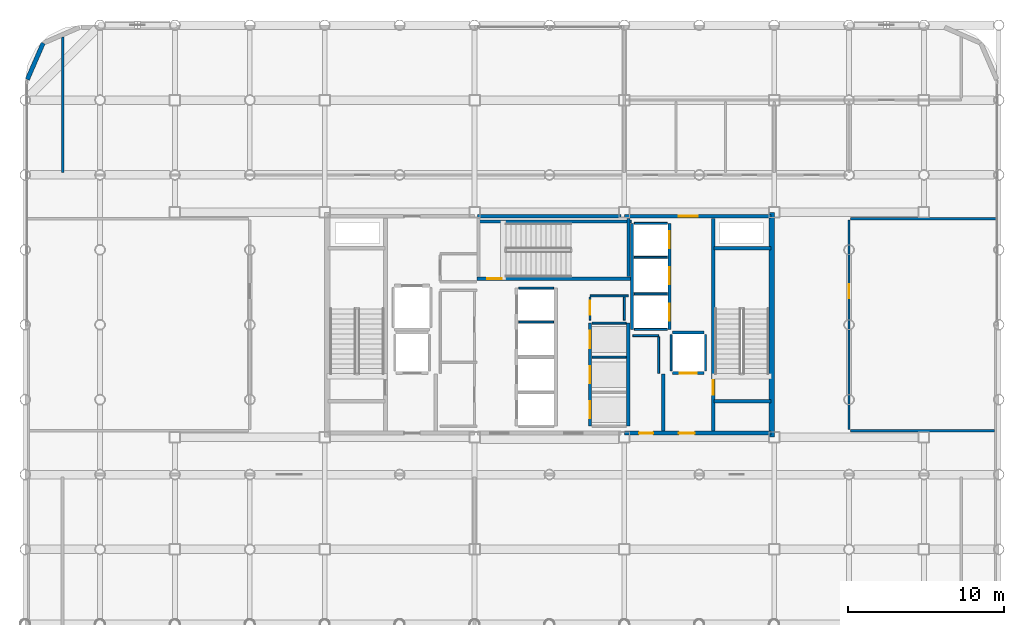
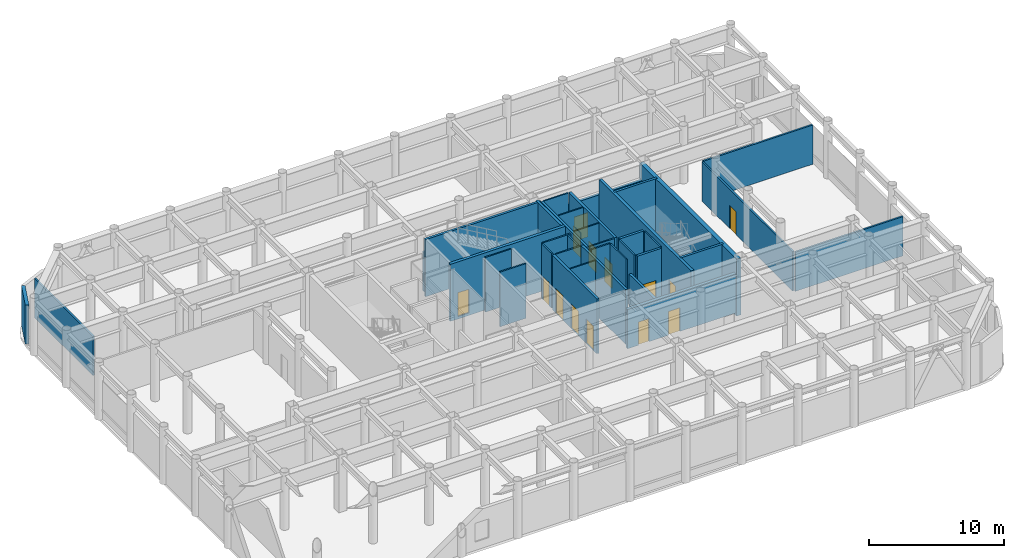
# One storey, part 17 of 20: 37 walls, 14 doors, 14 openings.
"""IFC4 building model written with IfcOpenShell, lengths in metres."""

from ifc_helpers import new_model, si_unit, direction, frame, frame_2d, origin, place, context, subcontext, project, spatial, rectangle, extrude, material, layer, layer_set, type_object, element, fill, save


model = new_model("IFC4")

# Units and contexts
model_context = context("Model", 3, precision=1e-05, world=origin(), true_north=direction((0.0, 1.0)))
body_context = subcontext(model_context, "Body", "Model", "MODEL_VIEW")
ifc_project = project(units=[si_unit("LENGTHUNIT", "METRE"), si_unit("AREAUNIT", "SQUARE_METRE"), si_unit("VOLUMEUNIT", "CUBIC_METRE"), si_unit("PLANEANGLEUNIT", "RADIAN"), si_unit("MASSUNIT", "GRAM", prefix="KILO")], contexts=[model_context])

# Site, building, storey
site_placement = place(None, origin())
site = spatial("IfcSite", under=ifc_project, at=site_placement, CompositionType="ELEMENT")
building_placement = place(site_placement, origin())
building = spatial("IfcBuilding", under=site, at=building_placement, Name="Kallvorn Hotel Tower", CompositionType="ELEMENT")
storey_placement = place(building_placement, frame((0.0, 0.0, 180.300048828125)))
storey = spatial("IfcBuildingStorey", under=building, at=storey_placement, Name="L45", CompositionType="ELEMENT", Elevation=180.300048828125)

# Walls
ifc_material_1 = material(Name="Concrete C50/60", Category="concrete")
ifc_layer_1 = layer(ifc_material_1, 0.35009765625)
ifc_layer_set_1 = layer_set([ifc_layer_1], Name="WL_CORE_350")
wall_type_1 = type_object("IfcWallType", Name="WL_CORE_350", PredefinedType="SHEAR", material=ifc_layer_set_1)
wall_1_placement = place(storey_placement, frame((14.239990234375, -7.199951171875, -0.219970703125), z_axis=(0.0, 0.0, 1.0), x_axis=(0.0, 1.0, 0.0)))
element("IfcWall", 1, at=wall_1_placement, inside=storey, type_object=wall_type_1, Name="L45 Core East Shear Wall", PredefinedType="SHEAR", context=body_context, shape_type="SweptSolid", body=[
    extrude(rectangle(XDim=14.39990234375, YDim=0.35009765625, at=frame_2d((7.199951171875, 0.0))), origin(), (0.0, 0.0, 1.0), 5.169921875),
])
ifc_material_2 = material(Name="Precast basalt-clad insulated concrete wall C40/50", Category="masonry")
ifc_layer_2 = layer(ifc_material_2, 0.280029296875)
ifc_layer_set_2 = layer_set([ifc_layer_2], Name="WL_EXT_LOGGIA_280")
wall_type_2 = type_object("IfcWallType", Name="WL_EXT_LOGGIA_280", PredefinedType="SOLIDWALL", material=ifc_layer_set_2)
wall_2_placement = place(storey_placement, frame((-32.446533203125, 18.046630859375, 0.0), z_axis=(0.0, 0.0, 1.0), x_axis=(-0.398792985289, -0.917040977756, 0.0)))
element("IfcWall", 2, at=wall_2_placement, inside=storey, type_object=wall_type_2, Name="L45 Rounded Corner Exterior Wall NW2", PredefinedType="SOLIDWALL", context=body_context, shape_type="SweptSolid", body=[
    extrude(rectangle(XDim=2.536376953125, YDim=0.280029296875, at=frame_2d((1.26806640625, 0.0))), origin(), (0.0, 0.0, 1.0), 3.550048828125),
])
ifc_material_3 = material(Name="Concrete C40/50", Category="concrete")
ifc_layer_3 = layer(ifc_material_3, 0.219970703125)
ifc_layer_set_3 = layer_set([ifc_layer_3], Name="WL_FFL_220")
wall_type_3 = type_object("IfcWallType", Name="WL_FFL_220", PredefinedType="SOLIDWALL", material=ifc_layer_set_3)
wall_3_placement = place(storey_placement, frame((7.300048828125, -6.820068359375, 0.0), z_axis=(0.0, 0.0, 1.0), x_axis=(0.0, 1.0, 0.0)))
element("IfcWall", 3, at=wall_3_placement, inside=storey, type_object=wall_type_3, Name="L45 Firefighting Lobby East Divider Wall", PredefinedType="SOLIDWALL", context=body_context, shape_type="SweptSolid", body=[
    extrude(rectangle(XDim=3.670166015625, YDim=0.219970703125, at=frame_2d((1.8349609375, 0.0))), origin(), (0.0, 0.0, 1.0), 3.550048828125),
])
ifc_material_4 = material(Name="Concrete C40/50", Category="concrete")
ifc_layer_4 = layer(ifc_material_4, 0.199951171875)
ifc_layer_set_4 = layer_set([ifc_layer_4], Name="WL_HOIST_200")
wall_type_4 = type_object("IfcWallType", Name="WL_HOIST_200", PredefinedType="SOLIDWALL", material=ifc_layer_set_4)
for number, where, z_axis, x_axis, name in (
    (4, (10.550048828125, -4.89990234375, -0.219970703125), (0.0, 0.0, 1.0), (1.0, 0.0, 0.0), "L45 Stair ST2 South Wall"),
    (5, (10.550048828125, 4.89990234375, -0.219970703125), (0.0, 0.0, 1.0), (1.0, 0.0, 0.0), "L45 Stair ST2 North Wall"),
):
    element("IfcWall", number, at=place(storey_placement, frame(where, z_axis=z_axis, x_axis=x_axis)), inside=storey, type_object=wall_type_4, Name=name, PredefinedType="SOLIDWALL", context=body_context, shape_type="SweptSolid", body=[
        extrude(rectangle(XDim=3.64990234375, YDim=0.199951171875, at=frame_2d((1.824951171875, 0.0))), origin(), (0.0, 0.0, 1.0), 5.169921875),
    ])
wall_4_placement = place(storey_placement, frame((-4.64990234375, 6.610107421875, -0.219970703125), z_axis=(0.0, 0.0, 1.0), x_axis=(1.0, 0.0, 0.0)))
element("IfcWall", 6, at=wall_4_placement, inside=storey, type_object=wall_type_4, Name="L45 Stair ST3 Shaft North Wall", PredefinedType="SOLIDWALL", context=body_context, shape_type="SweptSolid", body=[
    extrude(rectangle(XDim=9.89990234375, YDim=0.199951171875, at=frame_2d((4.949951171875, 0.0))), origin(), (0.0, 0.0, 1.0), 5.169921875),
])
wall_5_placement = place(storey_placement, frame((5.06005859375, 3.080078125, -0.219970703125), z_axis=(0.0, 0.0, 1.0), x_axis=(0.0, 1.0, 0.0)))
element("IfcWall", 7, at=wall_5_placement, inside=storey, type_object=wall_type_4, Name="L45 Stair ST3 East Wall", PredefinedType="SOLIDWALL", context=body_context, shape_type="SweptSolid", body=[
    extrude(rectangle(XDim=3.739990234375, YDim=0.199951171875, at=frame_2d((1.8701171875, 0.0))), origin(), (0.0, 0.0, 1.0), 5.169921875),
])

# Wall, openings, doors
wall_6_placement = place(storey_placement, frame((2.60009765625, -6.5, 0.0), z_axis=(0.0, 0.0, 1.0), x_axis=(0.0, 1.0, 0.0)))
wall_6 = element("IfcWall", 8, at=wall_6_placement, inside=storey, type_object=wall_type_4, Name="L45 Lift Bank B3A Landing Wall", PredefinedType="SOLIDWALL", context=body_context, shape_type="SweptSolid", body=[
    extrude(rectangle(XDim=6.60009765625, YDim=0.199951171875, at=frame_2d((3.300048828125, 0.0))), origin(), (0.0, 0.0, 1.0), 4.949951171875),
])
opening_1_placement = place(wall_6_placement, frame((0.5, 0.0, 0.0)))
opening_1 = element("IfcOpeningElement", 9, at=opening_1_placement, cuts=wall_6, Name="Opening LD-PL-09", PredefinedType="OPENING", context=body_context, shape_type="SweptSolid", body=[
    extrude(rectangle(XDim=1.10009765625, YDim=2.199951171875, at=frame_2d((0.550048828125, 1.10009765625))), frame((0.0, 0.114990234375, 0.0), z_axis=(0.0, -1.0, 0.0), x_axis=(1.0, 0.0, 0.0)), (0.0, 0.0, 1.0), 0.22998046875),
])
opening_2_placement = place(wall_6_placement, frame((2.75, 0.0, 0.0)))
opening_2 = element("IfcOpeningElement", 10, at=opening_2_placement, cuts=wall_6, Name="Opening LD-PL-10", PredefinedType="OPENING", context=body_context, shape_type="SweptSolid", body=[
    extrude(rectangle(XDim=1.10009765625, YDim=2.199951171875, at=frame_2d((0.550048828125, 1.10009765625))), frame((0.0, 0.114990234375, 0.0), z_axis=(0.0, -1.0, 0.0), x_axis=(1.0, 0.0, 0.0)), (0.0, 0.0, 1.0), 0.22998046875),
])
opening_3_placement = place(wall_6_placement, frame((5.0, 0.0, 0.0)))
opening_3 = element("IfcOpeningElement", 11, at=opening_3_placement, cuts=wall_6, Name="Opening LD-PL-11", PredefinedType="OPENING", context=body_context, shape_type="SweptSolid", body=[
    extrude(rectangle(XDim=1.10009765625, YDim=2.199951171875, at=frame_2d((0.550048828125, 1.10009765625))), frame((0.0, 0.114990234375, 0.0), z_axis=(0.0, -1.0, 0.0), x_axis=(1.0, 0.0, 0.0)), (0.0, 0.0, 1.0), 0.22998046875),
])
ifc_material_5 = material(Name="Brushed stainless-steel automatic sliding lift landing door", Category="steel")
door_type_1 = type_object("IfcDoorType", Name="LD_PASS_1100x2200", OperationType="SLIDING_TO_LEFT", PredefinedType="DOOR", material=ifc_material_5)
door_1_placement = place(opening_1_placement, origin())
door_1 = element("IfcDoor", 12, at=door_1_placement, inside=storey, type_object=door_type_1, Name="L45 Lift Landing Sliding Door LD-PL-09", OperationType="SLIDING_TO_LEFT", OverallHeight=2.199951171875, OverallWidth=1.10009765625, PredefinedType="DOOR", context=body_context, shape_type="SweptSolid", body=[
    extrude(rectangle(XDim=1.10009765625, YDim=2.199951171875, at=frame_2d((0.550048828125, 1.10009765625))), frame((0.0, 0.02490234375, 0.0), z_axis=(0.0, -1.0, 0.0), x_axis=(1.0, 0.0, 0.0)), (0.0, 0.0, 1.0), 0.050048828125),
])
fill(opening_1, door_1)
door_2_placement = place(opening_2_placement, origin())
door_2 = element("IfcDoor", 13, at=door_2_placement, inside=storey, type_object=door_type_1, Name="L45 Lift Landing Sliding Door LD-PL-10", OperationType="SLIDING_TO_LEFT", OverallHeight=2.199951171875, OverallWidth=1.10009765625, PredefinedType="DOOR", context=body_context, shape_type="SweptSolid", body=[
    extrude(rectangle(XDim=1.10009765625, YDim=2.199951171875, at=frame_2d((0.550048828125, 1.10009765625))), frame((0.0, 0.02490234375, 0.0), z_axis=(0.0, -1.0, 0.0), x_axis=(1.0, 0.0, 0.0)), (0.0, 0.0, 1.0), 0.050048828125),
])
fill(opening_2, door_2)
door_3_placement = place(opening_3_placement, origin())
door_3 = element("IfcDoor", 14, at=door_3_placement, inside=storey, type_object=door_type_1, Name="L45 Lift Landing Sliding Door LD-PL-11", OperationType="SLIDING_TO_LEFT", OverallHeight=2.199951171875, OverallWidth=1.10009765625, PredefinedType="DOOR", context=body_context, shape_type="SweptSolid", body=[
    extrude(rectangle(XDim=1.10009765625, YDim=2.199951171875, at=frame_2d((0.550048828125, 1.10009765625))), frame((0.0, 0.02490234375, 0.0), z_axis=(0.0, -1.0, 0.0), x_axis=(1.0, 0.0, 0.0)), (0.0, 0.0, 1.0), 0.050048828125),
])
fill(opening_3, door_3)

# Wall
wall_7_placement = place(storey_placement, frame((5.050048828125, -6.5, 0.0), z_axis=(0.0, 0.0, 1.0), x_axis=(0.0, 1.0, 0.0)))
element("IfcWall", 15, at=wall_7_placement, inside=storey, type_object=wall_type_4, Name="L45 Lift Bank B3A Rear Shaft Wall", PredefinedType="SOLIDWALL", context=body_context, shape_type="SweptSolid", body=[
    extrude(rectangle(XDim=6.60009765625, YDim=0.199951171875, at=frame_2d((3.300048828125, 0.0))), origin(), (0.0, 0.0, 1.0), 4.949951171875),
])

# Wall, openings, doors
wall_8_placement = place(storey_placement, frame((7.699951171875, -0.300048828125, 0.0), z_axis=(0.0, 0.0, 1.0), x_axis=(0.0, 1.0, 0.0)))
wall_8 = element("IfcWall", 16, at=wall_8_placement, inside=storey, type_object=wall_type_4, Name="L45 Lift Bank OBS Landing Wall", PredefinedType="SOLIDWALL", context=body_context, shape_type="SweptSolid", body=[
    extrude(rectangle(XDim=6.800048828125, YDim=0.199951171875, at=frame_2d((3.39990234375, 0.0))), origin(), (0.0, 0.0, 1.0), 4.949951171875),
])
opening_4_placement = place(wall_8_placement, frame((0.550048828125, 0.0, 0.0)))
opening_4 = element("IfcOpeningElement", 17, at=opening_4_placement, cuts=wall_8, Name="Opening LD-OB-01", PredefinedType="OPENING", context=body_context, shape_type="SweptSolid", body=[
    extrude(rectangle(XDim=1.10009765625, YDim=2.199951171875, at=frame_2d((0.550048828125, 1.10009765625))), frame((0.0, 0.114990234375, 0.0), z_axis=(0.0, -1.0, 0.0), x_axis=(1.0, 0.0, 0.0)), (0.0, 0.0, 1.0), 0.22998046875),
])
opening_5_placement = place(wall_8_placement, frame((2.89990234375, 0.0, 0.0)))
opening_5 = element("IfcOpeningElement", 18, at=opening_5_placement, cuts=wall_8, Name="Opening LD-OB-02", PredefinedType="OPENING", context=body_context, shape_type="SweptSolid", body=[
    extrude(rectangle(XDim=1.10009765625, YDim=2.199951171875, at=frame_2d((0.550048828125, 1.10009765625))), frame((0.0, 0.114990234375, 0.0), z_axis=(0.0, -1.0, 0.0), x_axis=(1.0, 0.0, 0.0)), (0.0, 0.0, 1.0), 0.22998046875),
])
opening_6_placement = place(wall_8_placement, frame((5.199951171875, 0.0, 0.0)))
opening_6 = element("IfcOpeningElement", 19, at=opening_6_placement, cuts=wall_8, Name="Opening LD-OB-03", PredefinedType="OPENING", context=body_context, shape_type="SweptSolid", body=[
    extrude(rectangle(XDim=1.10009765625, YDim=2.199951171875, at=frame_2d((0.550048828125, 1.10009765625))), frame((0.0, 0.114990234375, 0.0), z_axis=(0.0, -1.0, 0.0), x_axis=(1.0, 0.0, 0.0)), (0.0, 0.0, 1.0), 0.22998046875),
])
door_4_placement = place(opening_4_placement, origin())
door_4 = element("IfcDoor", 20, at=door_4_placement, inside=storey, type_object=door_type_1, Name="L45 Lift Landing Sliding Door LD-OB-01", OperationType="SLIDING_TO_LEFT", OverallHeight=2.199951171875, OverallWidth=1.10009765625, PredefinedType="DOOR", context=body_context, shape_type="SweptSolid", body=[
    extrude(rectangle(XDim=1.10009765625, YDim=2.199951171875, at=frame_2d((0.550048828125, 1.10009765625))), frame((0.0, 0.02490234375, 0.0), z_axis=(0.0, -1.0, 0.0), x_axis=(1.0, 0.0, 0.0)), (0.0, 0.0, 1.0), 0.050048828125),
])
fill(opening_4, door_4)
door_5_placement = place(opening_5_placement, origin())
door_5 = element("IfcDoor", 21, at=door_5_placement, inside=storey, type_object=door_type_1, Name="L45 Lift Landing Sliding Door LD-OB-02", OperationType="SLIDING_TO_LEFT", OverallHeight=2.199951171875, OverallWidth=1.10009765625, PredefinedType="DOOR", context=body_context, shape_type="SweptSolid", body=[
    extrude(rectangle(XDim=1.10009765625, YDim=2.199951171875, at=frame_2d((0.550048828125, 1.10009765625))), frame((0.0, 0.02490234375, 0.0), z_axis=(0.0, -1.0, 0.0), x_axis=(1.0, 0.0, 0.0)), (0.0, 0.0, 1.0), 0.050048828125),
])
fill(opening_5, door_5)
door_6_placement = place(opening_6_placement, origin())
door_6 = element("IfcDoor", 22, at=door_6_placement, inside=storey, type_object=door_type_1, Name="L45 Lift Landing Sliding Door LD-OB-03", OperationType="SLIDING_TO_LEFT", OverallHeight=2.199951171875, OverallWidth=1.10009765625, PredefinedType="DOOR", context=body_context, shape_type="SweptSolid", body=[
    extrude(rectangle(XDim=1.10009765625, YDim=2.199951171875, at=frame_2d((0.550048828125, 1.10009765625))), frame((0.0, 0.02490234375, 0.0), z_axis=(0.0, -1.0, 0.0), x_axis=(1.0, 0.0, 0.0)), (0.0, 0.0, 1.0), 0.050048828125),
])
fill(opening_6, door_6)

# Wall
wall_9_placement = place(storey_placement, frame((5.300048828125, -0.300048828125, 0.0), z_axis=(0.0, 0.0, 1.0), x_axis=(0.0, 1.0, 0.0)))
element("IfcWall", 23, at=wall_9_placement, inside=storey, type_object=wall_type_4, Name="L45 Lift Bank OBS Rear Shaft Wall", PredefinedType="SOLIDWALL", context=body_context, shape_type="SweptSolid", body=[
    extrude(rectangle(XDim=6.800048828125, YDim=0.199951171875, at=frame_2d((3.39990234375, 0.0))), origin(), (0.0, 0.0, 1.0), 4.949951171875),
])

# Wall, opening, door
wall_10_placement = place(storey_placement, frame((7.8798828125, -3.10009765625, 0.0), z_axis=(0.0, 0.0, 1.0), x_axis=(1.0, 0.0, 0.0)))
wall_10 = element("IfcWall", 24, at=wall_10_placement, inside=storey, type_object=wall_type_4, Name="L45 FL-2 Landing Wall", PredefinedType="SOLIDWALL", context=body_context, shape_type="SweptSolid", body=[
    extrude(rectangle(XDim=2.0400390625, YDim=0.199951171875, at=frame_2d((1.02001953125, 0.0))), origin(), (0.0, 0.0, 1.0), 4.949951171875),
])
opening_7_placement = place(wall_10_placement, frame((0.469970703125, 0.0, 0.0)))
opening_7 = element("IfcOpeningElement", 25, at=opening_7_placement, cuts=wall_10, Name="Opening LD-FL-2", PredefinedType="OPENING", context=body_context, shape_type="SweptSolid", body=[
    extrude(rectangle(XDim=1.10009765625, YDim=2.199951171875, at=frame_2d((0.550048828125, 1.10009765625))), frame((0.0, 0.114990234375, 0.0), z_axis=(0.0, -1.0, 0.0), x_axis=(1.0, 0.0, 0.0)), (0.0, 0.0, 1.0), 0.22998046875),
])
door_7_placement = place(opening_7_placement, origin())
door_7 = element("IfcDoor", 26, at=door_7_placement, inside=storey, type_object=door_type_1, Name="L45 Lift Landing Sliding Door LD-FL-2", OperationType="SLIDING_TO_LEFT", OverallHeight=2.199951171875, OverallWidth=1.10009765625, PredefinedType="DOOR", context=body_context, shape_type="SweptSolid", body=[
    extrude(rectangle(XDim=1.10009765625, YDim=2.199951171875, at=frame_2d((0.550048828125, 1.10009765625))), frame((0.0, 0.02490234375, 0.0), z_axis=(0.0, -1.0, 0.0), x_axis=(1.0, 0.0, 0.0)), (0.0, 0.0, 1.0), 0.050048828125),
])
fill(opening_7, door_7)

# Walls
wall_11_placement = place(storey_placement, frame((7.8798828125, -0.5, 0.0), z_axis=(0.0, 0.0, 1.0), x_axis=(1.0, 0.0, 0.0)))
element("IfcWall", 27, at=wall_11_placement, inside=storey, type_object=wall_type_4, Name="L45 FL-2 Rear Shaft Wall", PredefinedType="SOLIDWALL", context=body_context, shape_type="SweptSolid", body=[
    extrude(rectangle(XDim=2.0400390625, YDim=0.199951171875, at=frame_2d((1.02001953125, 0.0))), origin(), (0.0, 0.0, 1.0), 4.949951171875),
])
ifc_material_6 = material(Name="Fire-rated double-layer acoustic gypsum drywall EI 60")
ifc_layer_5 = layer(ifc_material_6, 0.1201171875)
ifc_layer_set_5 = layer_set([ifc_layer_5], Name="WL_INT_120")
wall_type_5 = type_object("IfcWallType", Name="WL_INT_120", PredefinedType="PARTITIONING", material=ifc_layer_set_5)
for number, where, z_axis, x_axis, name in (
    (28, (-1.9599609375, 0.175048828125, 0.0), (0.0, 0.0, 1.0), (1.0, 0.0, 0.0), "L45 PL-07 Hoistway Divider"),
    (29, (-1.9599609375, 2.35009765625, 0.0), (0.0, 0.0, 1.0), (1.0, 0.0, 0.0), "L45 PL-08 Hoistway Divider"),
):
    element("IfcWall", number, at=place(storey_placement, frame(where, z_axis=z_axis, x_axis=x_axis)), inside=storey, type_object=wall_type_5, Name=name, PredefinedType="PARTITIONING", context=body_context, shape_type="SweptSolid", body=[
        extrude(rectangle(XDim=2.219970703125, YDim=0.1201171875, at=frame_2d((1.10986328125, 0.0))), origin(), (0.0, 0.0, 1.0), 4.949951171875),
    ])
for number, where, z_axis, x_axis, name in (
    (30, (2.739990234375, -2.074951171875, 0.0), (0.0, 0.0, 1.0), (1.0, 0.0, 0.0), "L45 PL-10 Hoistway Divider"),
    (31, (2.739990234375, 0.10009765625, 0.0), (0.0, 0.0, 1.0), (1.0, 0.0, 0.0), "L45 PL-11 Hoistway Divider"),
):
    element("IfcWall", number, at=place(storey_placement, frame(where, z_axis=z_axis, x_axis=x_axis)), inside=storey, type_object=wall_type_5, Name=name, PredefinedType="PARTITIONING", context=body_context, shape_type="SweptSolid", body=[
        extrude(rectangle(XDim=2.169921875, YDim=0.1201171875, at=frame_2d((1.0849609375, 0.0))), origin(), (0.0, 0.0, 1.0), 4.949951171875),
    ])
for number, where, z_axis, x_axis, name in (
    (32, (5.43994140625, -0.300048828125, 0.0), (0.0, 0.0, 1.0), (1.0, 0.0, 0.0), "L45 Lift Bank OBS South Closure Wall"),
    (33, (5.43994140625, 1.97509765625, 0.0), (0.0, 0.0, 1.0), (1.0, 0.0, 0.0), "L45 OB-01 Hoistway Divider"),
    (34, (5.43994140625, 4.324951171875, 0.0), (0.0, 0.0, 1.0), (1.0, 0.0, 0.0), "L45 OB-02 Hoistway Divider"),
    (35, (5.43994140625, 6.5, 0.0), (0.0, 0.0, 1.0), (1.0, 0.0, 0.0), "L45 OB-03 Hoistway Divider"),
):
    element("IfcWall", number, at=place(storey_placement, frame(where, z_axis=z_axis, x_axis=x_axis)), inside=storey, type_object=wall_type_5, Name=name, PredefinedType="PARTITIONING", context=body_context, shape_type="SweptSolid", body=[
        extrude(rectangle(XDim=2.1201171875, YDim=0.1201171875, at=frame_2d((1.06005859375, 0.0))), origin(), (0.0, 0.0, 1.0), 4.949951171875),
    ])
for number, where, z_axis, x_axis, name in (
    (36, (7.800048828125, -2.9599609375, 0.0), (0.0, 0.0, 1.0), (0.0, 1.0, 0.0), "L45 FL-2 West Shaft Wall"),
    (37, (10.0, -2.9599609375, 0.0), (0.0, 0.0, 1.0), (0.0, 1.0, 0.0), "L45 FL-2 East Shaft Wall"),
):
    element("IfcWall", number, at=place(storey_placement, frame(where, z_axis=z_axis, x_axis=x_axis)), inside=storey, type_object=wall_type_5, Name=name, PredefinedType="PARTITIONING", context=body_context, shape_type="SweptSolid", body=[
        extrude(rectangle(XDim=2.320068359375, YDim=0.1201171875, at=frame_2d((1.16015625, 0.0))), origin(), (0.0, 0.0, 1.0), 4.949951171875),
    ])
wall_12_placement = place(storey_placement, frame((5.35009765625, -0.699951171875, 0.0), z_axis=(0.0, 0.0, 1.0), x_axis=(1.0, 0.0, 0.0)))
element("IfcWall", 38, at=wall_12_placement, inside=storey, type_object=wall_type_5, Name="L45 Core Utility and Meter Room Partition", PredefinedType="PARTITIONING", context=body_context, shape_type="SweptSolid", body=[
    extrude(rectangle(XDim=1.64990234375, YDim=0.1201171875, at=frame_2d((0.824951171875, 0.0))), origin(), (0.0, 0.0, 1.0), 4.949951171875),
])
wall_13_placement = place(storey_placement, frame((2.60009765625, 1.85009765625, 0.0), z_axis=(0.0, 0.0, 1.0), x_axis=(1.0, 0.0, 0.0)))
element("IfcWall", 39, at=wall_13_placement, inside=storey, type_object=wall_type_5, Name="L45 East Core Ice Pantry Partition", PredefinedType="PARTITIONING", context=body_context, shape_type="SweptSolid", body=[
    extrude(rectangle(XDim=2.449951171875, YDim=0.1201171875, at=frame_2d((1.22509765625, 0.0))), origin(), (0.0, 0.0, 1.0), 4.949951171875),
])

# Wall, opening, door
wall_14_placement = place(storey_placement, frame((2.60009765625, 0.300048828125, 0.0), z_axis=(0.0, 0.0, 1.0), x_axis=(0.0, 1.0, 0.0)))
wall_14 = element("IfcWall", 40, at=wall_14_placement, inside=storey, type_object=wall_type_5, Name="L45 East Core Ice Pantry Partition", PredefinedType="PARTITIONING", context=body_context, shape_type="SweptSolid", body=[
    extrude(rectangle(XDim=1.46484375, YDim=0.1201171875, at=frame_2d((0.732421875, 0.0))), origin(), (0.0, 0.0, 1.0), 4.949951171875),
])
opening_8_placement = place(wall_14_placement, frame((0.344970703125, 0.0, 0.0)))
opening_8 = element("IfcOpeningElement", 41, at=opening_8_placement, cuts=wall_14, Name="Opening SVD1", PredefinedType="OPENING", context=body_context, shape_type="SweptSolid", body=[
    extrude(rectangle(XDim=0.89990234375, YDim=2.10009765625, at=frame_2d((0.449951171875, 1.050048828125))), frame((0.0, 0.074951171875, 0.0), z_axis=(0.0, -1.0, 0.0), x_axis=(1.0, 0.0, 0.0)), (0.0, 0.0, 1.0), 0.150146484375),
])
ifc_material_7 = material(Name="Galvanised painted steel fire-rated door assembly", Category="steel")
door_type_2 = type_object("IfcDoorType", Name="DR_SERV_900x2100", OperationType="NOTDEFINED", PredefinedType="DOOR", material=ifc_material_7)
door_8_placement = place(opening_8_placement, origin())
door_8 = element("IfcDoor", 42, at=door_8_placement, inside=storey, type_object=door_type_2, Name="L45 East Core Ice Pantry Door", OperationType="SINGLE_SWING_RIGHT", OverallHeight=2.10009765625, OverallWidth=0.89990234375, PredefinedType="DOOR", context=body_context, shape_type="SweptSolid", body=[
    extrude(rectangle(XDim=0.89990234375, YDim=2.10009765625, at=frame_2d((0.449951171875, 1.050048828125))), frame((0.0, 0.02490234375, 0.0), z_axis=(0.0, -1.0, 0.0), x_axis=(1.0, 0.0, 0.0)), (0.0, 0.0, 1.0), 0.050048828125),
])
fill(opening_8, door_8)

# Walls
wall_15_placement = place(storey_placement, frame((4.800048828125, 0.300048828125, 0.0), z_axis=(0.0, 0.0, 1.0), x_axis=(0.0, 1.0, 0.0)))
element("IfcWall", 43, at=wall_15_placement, inside=storey, type_object=wall_type_5, Name="L45 East Core Ice Pantry Partition", PredefinedType="PARTITIONING", context=body_context, shape_type="SweptSolid", body=[
    extrude(rectangle(XDim=1.46484375, YDim=0.1201171875, at=frame_2d((0.732421875, 0.0))), origin(), (0.0, 0.0, 1.0), 4.949951171875),
])
wall_16_placement = place(storey_placement, frame((7.0, -3.110107421875, 0.0), z_axis=(0.0, 0.0, 1.0), x_axis=(0.0, 1.0, 0.0)))
element("IfcWall", 44, at=wall_16_placement, inside=storey, type_object=wall_type_5, Name="L45 Core Utility and Meter Room Partition", PredefinedType="PARTITIONING", context=body_context, shape_type="SweptSolid", body=[
    extrude(rectangle(XDim=2.3251953125, YDim=0.1201171875, at=frame_2d((1.16259765625, 0.0))), origin(), (0.0, 0.0, 1.0), 4.949951171875),
])
ifc_material_8 = material(Name="Fire-rated double-layer acoustic gypsum drywall EI 60")
ifc_layer_6 = layer(ifc_material_8, 0.14990234375)
ifc_layer_set_6 = layer_set([ifc_layer_6], Name="WL_PART_150")
wall_type_6 = type_object("IfcWallType", Name="WL_PART_150", PredefinedType="PARTITIONING", material=ifc_layer_set_6)
wall_17_placement = place(storey_placement, frame((19.280029296875, -6.800048828125, 0.0), z_axis=(0.0, 0.0, 1.0), x_axis=(1.0, 0.0, 0.0)))
element("IfcWall", 45, at=wall_17_placement, inside=storey, type_object=wall_type_6, Name="L45 Sky Lobby East VIP Reception Partition", PredefinedType="PARTITIONING", context=body_context, shape_type="SweptSolid", body=[
    extrude(rectangle(XDim=9.22998046875, YDim=0.14990234375, at=frame_2d((4.614990234375, 0.0))), origin(), (0.0, 0.0, 1.0), 3.550048828125),
])
wall_18_placement = place(storey_placement, frame((19.280029296875, 6.800048828125, 0.0), z_axis=(0.0, 0.0, 1.0), x_axis=(1.0, 0.0, 0.0)))
element("IfcWall", 46, at=wall_18_placement, inside=storey, type_object=wall_type_6, Name="L45 Sky Lobby East VIP Reception Partition", PredefinedType="PARTITIONING", context=body_context, shape_type="SweptSolid", body=[
    extrude(rectangle(XDim=9.349853515625, YDim=0.14990234375, at=frame_2d((4.6748046875, 0.0))), origin(), (0.0, 0.0, 1.0), 3.550048828125),
])
wall_19_placement = place(storey_placement, frame((-31.199951171875, 9.75, 0.0), z_axis=(0.0, 0.0, 1.0), x_axis=(0.0, 1.0, 0.0)))
element("IfcWall", 47, at=wall_19_placement, inside=storey, type_object=wall_type_6, Name="L45 Executive Club Library and Conference Hall Partition", PredefinedType="PARTITIONING", context=body_context, shape_type="SweptSolid", body=[
    extrude(rectangle(XDim=8.688720703125, YDim=0.14990234375, at=frame_2d((4.34423828125, 0.0))), origin(), (0.0, 0.0, 1.0), 3.550048828125),
])

# Wall, opening, door
wall_20_placement = place(storey_placement, frame((19.199951171875, -6.715087890625, 0.0), z_axis=(0.0, 0.0, 1.0), x_axis=(0.0, 1.0, 0.0)))
wall_20 = element("IfcWall", 48, at=wall_20_placement, inside=storey, type_object=wall_type_6, Name="L45 Sky Lobby East VIP Reception Partition", PredefinedType="PARTITIONING", context=body_context, shape_type="SweptSolid", body=[
    extrude(rectangle(XDim=13.43017578125, YDim=0.14990234375, at=frame_2d((6.715087890625, 0.0))), origin(), (0.0, 0.0, 1.0), 3.550048828125),
])
opening_9_placement = place(wall_20_placement, frame((8.4130859375, 0.0, 0.0)))
opening_9 = element("IfcOpeningElement", 49, at=opening_9_placement, cuts=wall_20, Name="Opening SVD1", PredefinedType="OPENING", context=body_context, shape_type="SweptSolid", body=[
    extrude(rectangle(XDim=0.89990234375, YDim=2.10009765625, at=frame_2d((0.449951171875, 1.050048828125))), frame((0.0, 0.08984375, 0.0), z_axis=(0.0, -1.0, 0.0), x_axis=(1.0, 0.0, 0.0)), (0.0, 0.0, 1.0), 0.179931640625),
])
door_9_placement = place(opening_9_placement, origin())
door_9 = element("IfcDoor", 50, at=door_9_placement, inside=storey, type_object=door_type_2, Name="L45 Sky Lobby East VIP Reception Door", OperationType="SINGLE_SWING_LEFT", OverallHeight=2.10009765625, OverallWidth=0.89990234375, PredefinedType="DOOR", context=body_context, shape_type="SweptSolid", body=[
    extrude(rectangle(XDim=0.89990234375, YDim=2.10009765625, at=frame_2d((0.449951171875, 1.050048828125))), frame((0.0, 0.02490234375, 0.0), z_axis=(0.0, -1.0, 0.0), x_axis=(1.0, 0.0, 0.0)), (0.0, 0.0, 1.0), 0.050048828125),
])
fill(opening_9, door_9)

# Wall, openings, doors
ifc_material_9 = material(Name="Concrete C40/50", Category="concrete")
ifc_layer_7 = layer(ifc_material_9, 0.25)
ifc_layer_set_7 = layer_set([ifc_layer_7], Name="WL_SHAFT_250")
wall_type_7 = type_object("IfcWallType", Name="WL_SHAFT_250", PredefinedType="SOLIDWALL", material=ifc_layer_set_7)
wall_21_placement = place(storey_placement, frame((4.800048828125, -6.949951171875, 0.0), z_axis=(0.0, 0.0, 1.0), x_axis=(1.0, 0.0, 0.0)))
wall_21 = element("IfcWall", 51, at=wall_21_placement, inside=storey, type_object=wall_type_7, Name="L45 Core South-East Wall", PredefinedType="SOLIDWALL", context=body_context, shape_type="SweptSolid", body=[
    extrude(rectangle(XDim=9.39990234375, YDim=0.25, at=frame_2d((4.699951171875, 0.0))), origin(), (0.0, 0.0, 1.0), 3.550048828125),
])
opening_10_placement = place(wall_21_placement, frame((3.5, 0.0, 0.0)))
opening_10 = element("IfcOpeningElement", 52, at=opening_10_placement, cuts=wall_21, Name="Opening FD1", PredefinedType="OPENING", context=body_context, shape_type="SweptSolid", body=[
    extrude(rectangle(XDim=1.0, YDim=2.14990234375, at=frame_2d((0.5, 1.074951171875))), frame((0.0, 0.139892578125, 0.0), z_axis=(0.0, -1.0, 0.0), x_axis=(1.0, 0.0, 0.0)), (0.0, 0.0, 1.0), 0.280029296875),
])
opening_11_placement = place(wall_21_placement, frame((0.949951171875, 0.0, 0.0)))
opening_11 = element("IfcOpeningElement", 53, at=opening_11_placement, cuts=wall_21, Name="Opening SVD1", PredefinedType="OPENING", context=body_context, shape_type="SweptSolid", body=[
    extrude(rectangle(XDim=0.89990234375, YDim=2.10009765625, at=frame_2d((0.449951171875, 1.050048828125))), frame((0.0, 0.139892578125, 0.0), z_axis=(0.0, -1.0, 0.0), x_axis=(1.0, 0.0, 0.0)), (0.0, 0.0, 1.0), 0.280029296875),
])
ifc_material_10 = material(Name="Galvanised painted steel fire-rated door assembly", Category="steel")
door_type_3 = type_object("IfcDoorType", Name="DR_FFL_1000x2150", OperationType="NOTDEFINED", PredefinedType="DOOR", material=ifc_material_10)
door_10_placement = place(opening_10_placement, origin())
door_10 = element("IfcDoor", 54, at=door_10_placement, inside=storey, type_object=door_type_3, Name="L45 Firefighting Lobby East Door", OperationType="SINGLE_SWING_LEFT", OverallHeight=2.14990234375, OverallWidth=1.0, PredefinedType="DOOR", context=body_context, shape_type="SweptSolid", body=[
    extrude(rectangle(XDim=1.0, YDim=2.14990234375, at=frame_2d((0.5, 1.074951171875))), frame((0.0, 0.02490234375, 0.0), z_axis=(0.0, -1.0, 0.0), x_axis=(1.0, 0.0, 0.0)), (0.0, 0.0, 1.0), 0.050048828125),
])
fill(opening_10, door_10)
door_11_placement = place(opening_11_placement, origin())
door_11 = element("IfcDoor", 55, at=door_11_placement, inside=storey, type_object=door_type_2, Name="L45 Core Utility and Meter Room Door", OperationType="SINGLE_SWING_LEFT", OverallHeight=2.10009765625, OverallWidth=0.89990234375, PredefinedType="DOOR", context=body_context, shape_type="SweptSolid", body=[
    extrude(rectangle(XDim=0.89990234375, YDim=2.10009765625, at=frame_2d((0.449951171875, 1.050048828125))), frame((0.0, 0.02490234375, 0.0), z_axis=(0.0, -1.0, 0.0), x_axis=(1.0, 0.0, 0.0)), (0.0, 0.0, 1.0), 0.050048828125),
])
fill(opening_11, door_11)

# Wall
wall_22_placement = place(storey_placement, frame((-4.60009765625, 6.949951171875, 0.0), z_axis=(0.0, 0.0, 1.0), x_axis=(1.0, 0.0, 0.0)))
element("IfcWall", 56, at=wall_22_placement, inside=storey, type_object=wall_type_7, Name="L45 Core North-Central Wall", PredefinedType="SOLIDWALL", context=body_context, shape_type="SweptSolid", body=[
    extrude(rectangle(XDim=9.2001953125, YDim=0.25, at=frame_2d((4.60009765625, 0.0))), origin(), (0.0, 0.0, 1.0), 3.550048828125),
])

# Wall, opening, door
wall_23_placement = place(storey_placement, frame((4.800048828125, 6.949951171875, 0.0), z_axis=(0.0, 0.0, 1.0), x_axis=(1.0, 0.0, 0.0)))
wall_23 = element("IfcWall", 57, at=wall_23_placement, inside=storey, type_object=wall_type_7, Name="L45 Core North-East Wall", PredefinedType="SOLIDWALL", context=body_context, shape_type="SweptSolid", body=[
    extrude(rectangle(XDim=9.39990234375, YDim=0.25, at=frame_2d((4.699951171875, 0.0))), origin(), (0.0, 0.0, 1.0), 3.550048828125),
])
opening_12_placement = place(wall_23_placement, frame((3.5, 0.0, 0.0)))
opening_12 = element("IfcOpeningElement", 58, at=opening_12_placement, cuts=wall_23, Name="Opening FD2", PredefinedType="OPENING", context=body_context, shape_type="SweptSolid", body=[
    extrude(rectangle(XDim=1.199951171875, YDim=2.199951171875, at=frame_2d((0.60009765625, 1.10009765625))), frame((0.0, 0.139892578125, 0.0), z_axis=(0.0, -1.0, 0.0), x_axis=(1.0, 0.0, 0.0)), (0.0, 0.0, 1.0), 0.280029296875),
])
ifc_material_11 = material(Name="Galvanised painted steel fire-rated door assembly", Category="steel")
door_type_4 = type_object("IfcDoorType", Name="DR_LOBBY_1200x2200", OperationType="DOUBLE_DOOR_SINGLE_SWING", PredefinedType="DOOR", material=ifc_material_11)
door_12_placement = place(opening_12_placement, origin())
door_12 = element("IfcDoor", 59, at=door_12_placement, inside=storey, type_object=door_type_4, Name="L45 Observatory Shuttle Lobby Door", OperationType="DOUBLE_DOOR_SINGLE_SWING", OverallHeight=2.199951171875, OverallWidth=1.199951171875, PredefinedType="DOOR", context=body_context, shape_type="SweptSolid", body=[
    extrude(rectangle(XDim=1.199951171875, YDim=2.199951171875, at=frame_2d((0.60009765625, 1.10009765625))), frame((0.0, 0.02490234375, 0.0), z_axis=(0.0, -1.0, 0.0), x_axis=(1.0, 0.0, 0.0)), (0.0, 0.0, 1.0), 0.050048828125),
])
fill(opening_12, door_12)

wall_24_placement = place(storey_placement, frame((10.5, -6.820068359375, -0.219970703125), z_axis=(0.0, 0.0, 1.0), x_axis=(0.0, 1.0, 0.0)))
wall_24 = element("IfcWall", 60, at=wall_24_placement, inside=storey, type_object=wall_type_7, Name="L45 Stair ST2 Shaft Wall", PredefinedType="SOLIDWALL", context=body_context, shape_type="SweptSolid", body=[
    extrude(rectangle(XDim=13.64013671875, YDim=0.25, at=frame_2d((6.820068359375, 0.0))), origin(), (0.0, 0.0, 1.0), 5.169921875),
])
opening_13_placement = place(wall_24_placement, frame((2.320068359375, 0.0, 0.219970703125)))
opening_13 = element("IfcOpeningElement", 61, at=opening_13_placement, cuts=wall_24, Name="Opening SD1", PredefinedType="OPENING", context=body_context, shape_type="SweptSolid", body=[
    extrude(rectangle(XDim=0.949951171875, YDim=2.14990234375, at=frame_2d((0.47509765625, 1.074951171875))), frame((0.0, 0.139892578125, 0.0), z_axis=(0.0, -1.0, 0.0), x_axis=(1.0, 0.0, 0.0)), (0.0, 0.0, 1.0), 0.280029296875),
])
ifc_material_12 = material(Name="Galvanised painted steel fire-rated door assembly", Category="steel")
door_type_5 = type_object("IfcDoorType", Name="DR_STAIR_950x2150", OperationType="NOTDEFINED", PredefinedType="DOOR", material=ifc_material_12)
door_13_placement = place(opening_13_placement, origin())
door_13 = element("IfcDoor", 62, at=door_13_placement, inside=storey, type_object=door_type_5, Name="L45 Exit Stair ST2 Fire Door", OperationType="SINGLE_SWING_LEFT", OverallHeight=2.14990234375, OverallWidth=0.949951171875, PredefinedType="DOOR", context=body_context, shape_type="SweptSolid", body=[
    extrude(rectangle(XDim=0.949951171875, YDim=2.14990234375, at=frame_2d((0.47509765625, 1.074951171875))), frame((0.0, 0.02490234375, 0.0), z_axis=(0.0, -1.0, 0.0), x_axis=(1.0, 0.0, 0.0)), (0.0, 0.0, 1.0), 0.050048828125),
])
fill(opening_13, door_13)

wall_25_placement = place(storey_placement, frame((-4.64990234375, 2.949951171875, -0.219970703125), z_axis=(0.0, 0.0, 1.0), x_axis=(1.0, 0.0, 0.0)))
wall_25 = element("IfcWall", 63, at=wall_25_placement, inside=storey, type_object=wall_type_7, Name="L45 Stair ST3 Shaft South Wall", PredefinedType="SOLIDWALL", context=body_context, shape_type="SweptSolid", body=[
    extrude(rectangle(XDim=9.89990234375, YDim=0.25, at=frame_2d((4.949951171875, 0.0))), origin(), (0.0, 0.0, 1.0), 5.169921875),
])
opening_14_placement = place(wall_25_placement, frame((0.64990234375, 0.0, 0.219970703125)))
opening_14 = element("IfcOpeningElement", 64, at=opening_14_placement, cuts=wall_25, Name="Opening SD1", PredefinedType="OPENING", context=body_context, shape_type="SweptSolid", body=[
    extrude(rectangle(XDim=0.949951171875, YDim=2.14990234375, at=frame_2d((0.47509765625, 1.074951171875))), frame((0.0, 0.139892578125, 0.0), z_axis=(0.0, -1.0, 0.0), x_axis=(1.0, 0.0, 0.0)), (0.0, 0.0, 1.0), 0.280029296875),
])
door_14_placement = place(opening_14_placement, origin())
door_14 = element("IfcDoor", 65, at=door_14_placement, inside=storey, type_object=door_type_5, Name="L45 Exit Stair ST3 Fire Door", OperationType="SINGLE_SWING_RIGHT", OverallHeight=2.14990234375, OverallWidth=0.949951171875, PredefinedType="DOOR", context=body_context, shape_type="SweptSolid", body=[
    extrude(rectangle(XDim=0.949951171875, YDim=2.14990234375, at=frame_2d((0.47509765625, 1.074951171875))), frame((0.0, 0.02490234375, 0.0), z_axis=(0.0, -1.0, 0.0), x_axis=(1.0, 0.0, 0.0)), (0.0, 0.0, 1.0), 0.050048828125),
])
fill(opening_14, door_14)

save(model, "model.ifc")
